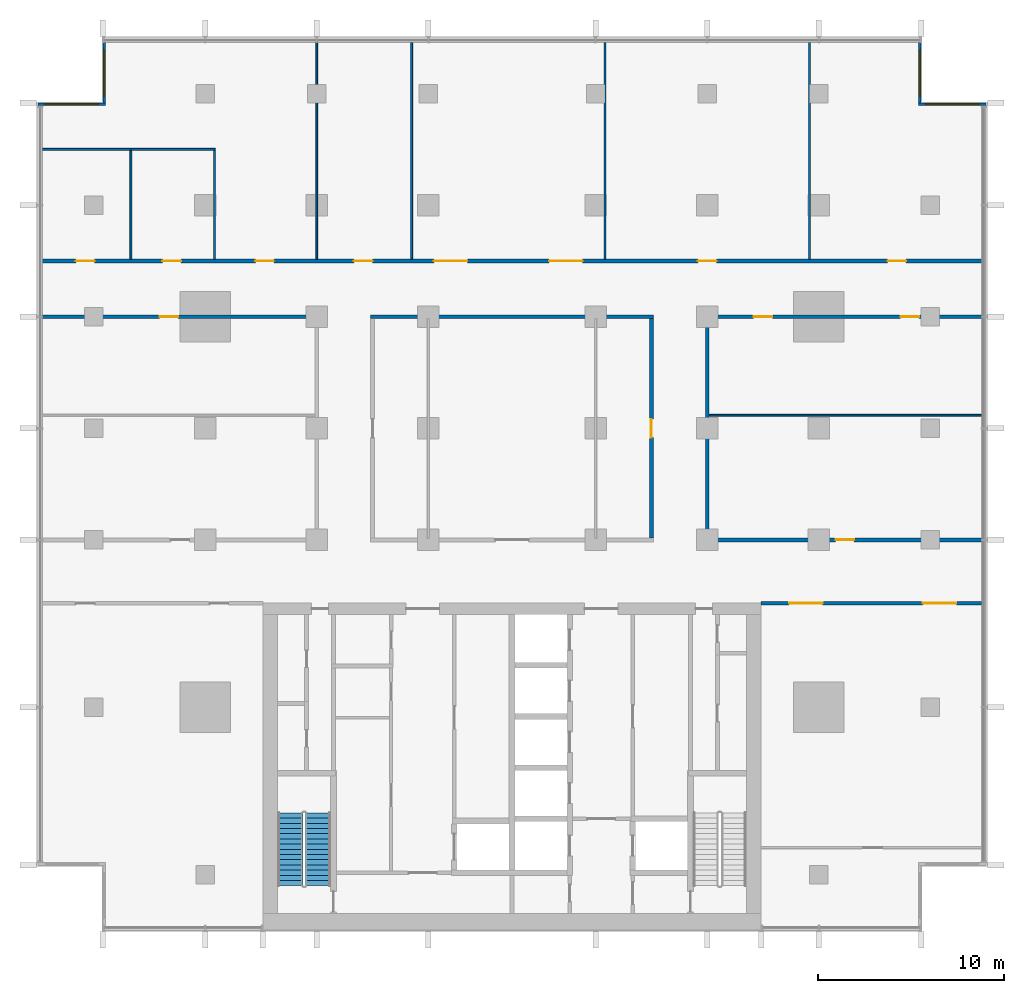
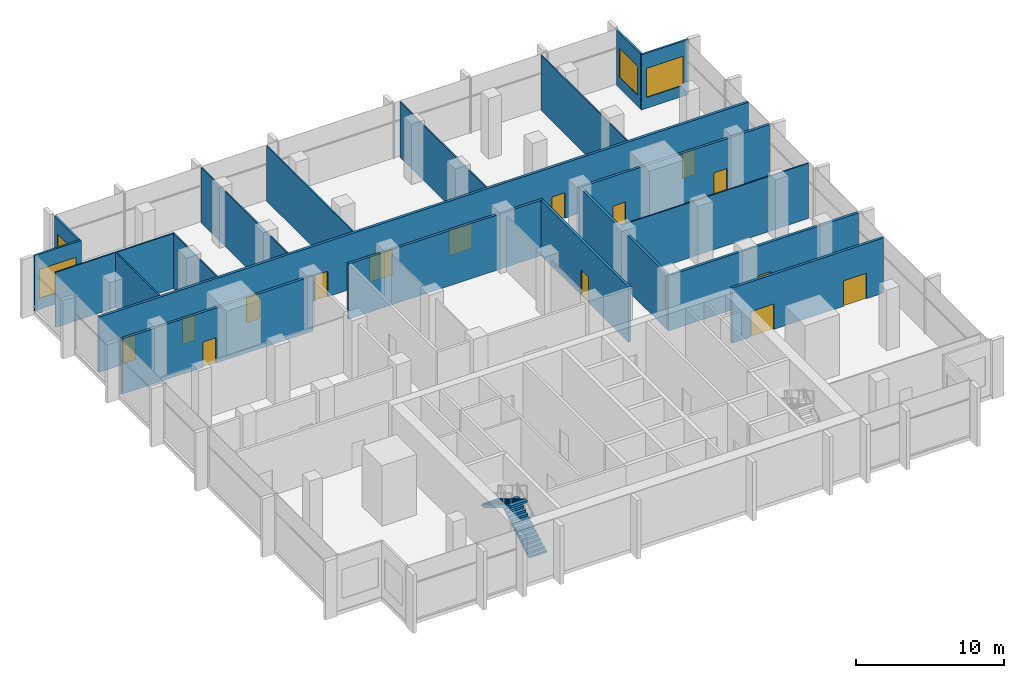
# One storey, part 9 of 15: 20 walls, 15 doors, 4 windows, 2 stair flights, 19 openings, 1 element without a shape of its own.
"""IFC4 building model written with IfcOpenShell, lengths in metres."""

from ifc_helpers import new_model, si_unit, direction, frame, frame_2d, origin, place, context, subcontext, project, spatial, polyline, rectangle, outline, extrude, material, layer, layer_set, type_object, element, fill, aggregate, save


model = new_model("IFC4")

# Units and contexts
model_context = context("Model", 3, precision=1e-05, world=origin(), true_north=direction((0.0, 1.0)))
body_context = subcontext(model_context, "Body", "Model", "MODEL_VIEW")
ifc_project = project(units=[si_unit("LENGTHUNIT", "METRE"), si_unit("AREAUNIT", "SQUARE_METRE"), si_unit("VOLUMEUNIT", "CUBIC_METRE"), si_unit("PLANEANGLEUNIT", "RADIAN"), si_unit("MASSUNIT", "GRAM", prefix="KILO")], contexts=[model_context])

# Site, building, storey
site_placement = place(None, origin())
site = spatial("IfcSite", under=ifc_project, at=site_placement, CompositionType="ELEMENT")
building_placement = place(site_placement, origin())
building = spatial("IfcBuilding", under=site, at=building_placement, Name="Finial Court Residences", CompositionType="ELEMENT")
storey_placement = place(building_placement, frame((0.0, 0.0, 138.89990234375)))
storey = spatial("IfcBuildingStorey", under=building, at=storey_placement, Name="L34", CompositionType="ELEMENT", Elevation=138.89990234375)

# Wall, openings, doors
ifc_material_1 = material(Name="Gypsum board")
ifc_layer_1 = layer(ifc_material_1, 0.02490234375)
ifc_material_2 = material(Name="Acoustic mineral wool in double frame")
ifc_layer_2 = layer(ifc_material_2, 0.14990234375)
ifc_layer_3 = layer(ifc_material_1, 0.02490234375)
ifc_layer_set_1 = layer_set([ifc_layer_1, ifc_layer_2, ifc_layer_3], Name="Corridor wall 200, 1 hour")
wall_type_1 = type_object("IfcWallType", Name="Corridor wall 200, 1 hour", PredefinedType="PARTITIONING", material=ifc_layer_set_1)
wall_1_placement = place(storey_placement, frame((13.39990234375, -7.89990234375, 0.0), z_axis=(0.0, 0.0, 1.0), x_axis=(1.0, 0.0, 0.0)))
wall_1 = element("IfcWall", 1, at=wall_1_placement, inside=storey, type_object=wall_type_1, Name="Partition L34-002", PredefinedType="PARTITIONING", context=body_context, shape_type="SweptSolid", body=[
    extrude(rectangle(XDim=11.837646484375, YDim=0.199951171875, at=frame_2d((5.9189453125, 0.0))), origin(), (0.0, 0.0, 1.0), 4.550048828125),
])
opening_1_placement = place(wall_1_placement, frame((1.5, 0.0, 0.0)))
opening_1 = element("IfcOpeningElement", 2, at=opening_1_placement, cuts=wall_1, Name="Opening L34-D004", PredefinedType="OPENING", context=body_context, shape_type="SweptSolid", body=[
    extrude(rectangle(XDim=1.800048828125, YDim=2.10009765625, at=frame_2d((0.89990234375, 1.050048828125))), frame((0.0, 0.10986328125, 0.0), z_axis=(0.0, -1.0, 0.0), x_axis=(1.0, 0.0, 0.0)), (0.0, 0.0, 1.0), 0.219970703125),
])
opening_2_placement = place(wall_1_placement, frame((8.699951171875, 0.0, 0.0)))
opening_2 = element("IfcOpeningElement", 3, at=opening_2_placement, cuts=wall_1, Name="Opening L34-D005", PredefinedType="OPENING", context=body_context, shape_type="SweptSolid", body=[
    extrude(rectangle(XDim=1.800048828125, YDim=2.10009765625, at=frame_2d((0.89990234375, 1.050048828125))), frame((0.0, 0.10986328125, 0.0), z_axis=(0.0, -1.0, 0.0), x_axis=(1.0, 0.0, 0.0)), (0.0, 0.0, 1.0), 0.219970703125),
])
ifc_material_3 = material(Name="Timber door leaf in hollow metal frame", Category="wood")
door_type_1 = type_object("IfcDoorType", Name="Fire door set 1800 x 2100, 30 minutes", OperationType="DOUBLE_DOOR_SINGLE_SWING", PredefinedType="DOOR", material=ifc_material_3)
door_1_placement = place(opening_1_placement, origin())
door_1 = element("IfcDoor", 4, at=door_1_placement, inside=storey, type_object=door_type_1, Name="Door L34-D004", OperationType="DOUBLE_DOOR_SINGLE_SWING", OverallHeight=2.10009765625, OverallWidth=1.800048828125, PredefinedType="DOOR", context=body_context, shape_type="SweptSolid", body=[
    extrude(rectangle(XDim=1.800048828125, YDim=2.10009765625, at=frame_2d((0.89990234375, 1.050048828125))), frame((0.0, 0.02490234375, 0.0), z_axis=(0.0, -1.0, 0.0), x_axis=(1.0, 0.0, 0.0)), (0.0, 0.0, 1.0), 0.050048828125),
])
fill(opening_1, door_1)
door_2_placement = place(opening_2_placement, origin())
door_2 = element("IfcDoor", 5, at=door_2_placement, inside=storey, type_object=door_type_1, Name="Door L34-D005", OperationType="DOUBLE_DOOR_SINGLE_SWING", OverallHeight=2.10009765625, OverallWidth=1.800048828125, PredefinedType="DOOR", context=body_context, shape_type="SweptSolid", body=[
    extrude(rectangle(XDim=1.800048828125, YDim=2.10009765625, at=frame_2d((0.89990234375, 1.050048828125))), frame((0.0, 0.02490234375, 0.0), z_axis=(0.0, -1.0, 0.0), x_axis=(1.0, 0.0, 0.0)), (0.0, 0.0, 1.0), 0.050048828125),
])
fill(opening_2, door_2)

# Wall, opening, door
wall_2_placement = place(storey_placement, frame((10.39990234375, -4.5, 0.0), z_axis=(0.0, 0.0, 1.0), x_axis=(1.0, 0.0, 0.0)))
wall_2 = element("IfcWall", 6, at=wall_2_placement, inside=storey, type_object=wall_type_1, Name="Partition L34-005", PredefinedType="PARTITIONING", context=body_context, shape_type="SweptSolid", body=[
    extrude(rectangle(XDim=14.837646484375, YDim=0.199951171875, at=frame_2d((7.4189453125, 0.0))), origin(), (0.0, 0.0, 1.0), 4.550048828125),
])
opening_3_placement = place(wall_2_placement, frame((7.0, 0.0, 0.0)))
opening_3 = element("IfcOpeningElement", 7, at=opening_3_placement, cuts=wall_2, Name="Opening L34-D008", PredefinedType="OPENING", context=body_context, shape_type="SweptSolid", body=[
    extrude(rectangle(XDim=1.0, YDim=2.10009765625, at=frame_2d((0.5, 1.050048828125))), frame((0.0, 0.10986328125, 0.0), z_axis=(0.0, -1.0, 0.0), x_axis=(1.0, 0.0, 0.0)), (0.0, 0.0, 1.0), 0.219970703125),
])
door_type_2 = type_object("IfcDoorType", Name="Fire door set 1000 x 2100, 30 minutes", OperationType="SINGLE_SWING_LEFT", PredefinedType="DOOR", material=ifc_material_3)
door_3_placement = place(opening_3_placement, origin())
door_3 = element("IfcDoor", 8, at=door_3_placement, inside=storey, type_object=door_type_2, Name="Door L34-D008", OperationType="SINGLE_SWING_RIGHT", OverallHeight=2.10009765625, OverallWidth=1.0, PredefinedType="DOOR", context=body_context, shape_type="SweptSolid", body=[
    extrude(rectangle(XDim=1.0, YDim=2.10009765625, at=frame_2d((0.5, 1.050048828125))), frame((0.0, 0.02490234375, 0.0), z_axis=(0.0, -1.0, 0.0), x_axis=(1.0, 0.0, 0.0)), (0.0, 0.0, 1.0), 0.050048828125),
])
fill(opening_3, door_3)

wall_3_placement = place(storey_placement, frame((-25.237548828125, 7.5, 0.0), z_axis=(0.0, 0.0, 1.0), x_axis=(1.0, 0.0, 0.0)))
wall_3 = element("IfcWall", 9, at=wall_3_placement, inside=storey, type_object=wall_type_1, Name="Partition L34-008", PredefinedType="PARTITIONING", context=body_context, shape_type="SweptSolid", body=[
    extrude(rectangle(XDim=14.837646484375, YDim=0.199951171875, at=frame_2d((7.4189453125, 0.0))), origin(), (0.0, 0.0, 1.0), 4.550048828125),
])
opening_4_placement = place(wall_3_placement, frame((6.2880859375, 0.0, 0.0)))
opening_4 = element("IfcOpeningElement", 10, at=opening_4_placement, cuts=wall_3, Name="Opening L34-D009", PredefinedType="OPENING", context=body_context, shape_type="SweptSolid", body=[
    extrude(rectangle(XDim=1.0, YDim=2.10009765625, at=frame_2d((0.5, 1.050048828125))), frame((0.0, 0.10986328125, 0.0), z_axis=(0.0, -1.0, 0.0), x_axis=(1.0, 0.0, 0.0)), (0.0, 0.0, 1.0), 0.219970703125),
])
door_4_placement = place(opening_4_placement, origin())
door_4 = element("IfcDoor", 11, at=door_4_placement, inside=storey, type_object=door_type_2, Name="Door L34-D009", OperationType="SINGLE_SWING_LEFT", OverallHeight=2.10009765625, OverallWidth=1.0, PredefinedType="DOOR", context=body_context, shape_type="SweptSolid", body=[
    extrude(rectangle(XDim=1.0, YDim=2.10009765625, at=frame_2d((0.5, 1.050048828125))), frame((0.0, 0.02490234375, 0.0), z_axis=(0.0, -1.0, 0.0), x_axis=(1.0, 0.0, 0.0)), (0.0, 0.0, 1.0), 0.050048828125),
])
fill(opening_4, door_4)

# Wall
wall_4_placement = place(storey_placement, frame((-7.60009765625, 7.5, 0.0), z_axis=(0.0, 0.0, 1.0), x_axis=(1.0, 0.0, 0.0)))
element("IfcWall", 12, at=wall_4_placement, inside=storey, type_object=wall_type_1, Name="Partition L34-009", PredefinedType="PARTITIONING", context=body_context, shape_type="SweptSolid", body=[
    extrude(rectangle(XDim=15.2001953125, YDim=0.199951171875, at=frame_2d((7.60009765625, 0.0))), origin(), (0.0, 0.0, 1.0), 4.550048828125),
])

# Wall, openings, doors
wall_5_placement = place(storey_placement, frame((10.39990234375, 7.5, 0.0), z_axis=(0.0, 0.0, 1.0), x_axis=(1.0, 0.0, 0.0)))
wall_5 = element("IfcWall", 13, at=wall_5_placement, inside=storey, type_object=wall_type_1, Name="Partition L34-010", PredefinedType="PARTITIONING", context=body_context, shape_type="SweptSolid", body=[
    extrude(rectangle(XDim=14.837646484375, YDim=0.199951171875, at=frame_2d((7.4189453125, 0.0))), origin(), (0.0, 0.0, 1.0), 4.550048828125),
])
opening_5_placement = place(wall_5_placement, frame((2.60009765625, 0.0, 0.0)))
opening_5 = element("IfcOpeningElement", 14, at=opening_5_placement, cuts=wall_5, Name="Opening L34-D010", PredefinedType="OPENING", context=body_context, shape_type="SweptSolid", body=[
    extrude(rectangle(XDim=1.0, YDim=2.10009765625, at=frame_2d((0.5, 1.050048828125))), frame((0.0, 0.10986328125, 0.0), z_axis=(0.0, -1.0, 0.0), x_axis=(1.0, 0.0, 0.0)), (0.0, 0.0, 1.0), 0.219970703125),
])
opening_6_placement = place(wall_5_placement, frame((10.5, 0.0, 0.0)))
opening_6 = element("IfcOpeningElement", 15, at=opening_6_placement, cuts=wall_5, Name="Opening L34-D011", PredefinedType="OPENING", context=body_context, shape_type="SweptSolid", body=[
    extrude(rectangle(XDim=1.0, YDim=2.10009765625, at=frame_2d((0.5, 1.050048828125))), frame((0.0, 0.10986328125, 0.0), z_axis=(0.0, -1.0, 0.0), x_axis=(1.0, 0.0, 0.0)), (0.0, 0.0, 1.0), 0.219970703125),
])
door_5_placement = place(opening_5_placement, origin())
door_5 = element("IfcDoor", 16, at=door_5_placement, inside=storey, type_object=door_type_2, Name="Door L34-D010", OperationType="SINGLE_SWING_LEFT", OverallHeight=2.10009765625, OverallWidth=1.0, PredefinedType="DOOR", context=body_context, shape_type="SweptSolid", body=[
    extrude(rectangle(XDim=1.0, YDim=2.10009765625, at=frame_2d((0.5, 1.050048828125))), frame((0.0, 0.02490234375, 0.0), z_axis=(0.0, -1.0, 0.0), x_axis=(1.0, 0.0, 0.0)), (0.0, 0.0, 1.0), 0.050048828125),
])
fill(opening_5, door_5)
door_6_placement = place(opening_6_placement, origin())
door_6 = element("IfcDoor", 17, at=door_6_placement, inside=storey, type_object=door_type_2, Name="Door L34-D011", OperationType="SINGLE_SWING_RIGHT", OverallHeight=2.10009765625, OverallWidth=1.0, PredefinedType="DOOR", context=body_context, shape_type="SweptSolid", body=[
    extrude(rectangle(XDim=1.0, YDim=2.10009765625, at=frame_2d((0.5, 1.050048828125))), frame((0.0, 0.02490234375, 0.0), z_axis=(0.0, -1.0, 0.0), x_axis=(1.0, 0.0, 0.0)), (0.0, 0.0, 1.0), 0.050048828125),
])
fill(opening_6, door_6)

wall_6_placement = place(storey_placement, frame((-25.35009765625, 10.5, 0.0), z_axis=(0.0, 0.0, 1.0), x_axis=(1.0, 0.0, 0.0)))
wall_6 = element("IfcWall", 18, at=wall_6_placement, inside=storey, type_object=wall_type_1, Name="Partition L34-011", PredefinedType="PARTITIONING", context=body_context, shape_type="SweptSolid", body=[
    extrude(rectangle(XDim=50.7001953125, YDim=0.199951171875, at=frame_2d((25.35009765625, 0.0))), origin(), (0.0, 0.0, 1.0), 4.550048828125),
])
opening_7_placement = place(wall_6_placement, frame((1.89990234375, 0.0, 0.0)))
opening_7 = element("IfcOpeningElement", 19, at=opening_7_placement, cuts=wall_6, Name="Opening L34-D012", PredefinedType="OPENING", context=body_context, shape_type="SweptSolid", body=[
    extrude(rectangle(XDim=1.0, YDim=2.10009765625, at=frame_2d((0.5, 1.050048828125))), frame((0.0, 0.10986328125, 0.0), z_axis=(0.0, -1.0, 0.0), x_axis=(1.0, 0.0, 0.0)), (0.0, 0.0, 1.0), 0.219970703125),
])
opening_8_placement = place(wall_6_placement, frame((6.550048828125, 0.0, 0.0)))
opening_8 = element("IfcOpeningElement", 20, at=opening_8_placement, cuts=wall_6, Name="Opening L34-D013", PredefinedType="OPENING", context=body_context, shape_type="SweptSolid", body=[
    extrude(rectangle(XDim=1.0, YDim=2.10009765625, at=frame_2d((0.5, 1.050048828125))), frame((0.0, 0.10986328125, 0.0), z_axis=(0.0, -1.0, 0.0), x_axis=(1.0, 0.0, 0.0)), (0.0, 0.0, 1.0), 0.219970703125),
])
opening_9_placement = place(wall_6_placement, frame((11.550048828125, 0.0, 0.0)))
opening_9 = element("IfcOpeningElement", 21, at=opening_9_placement, cuts=wall_6, Name="Opening L34-D014", PredefinedType="OPENING", context=body_context, shape_type="SweptSolid", body=[
    extrude(rectangle(XDim=1.0, YDim=2.10009765625, at=frame_2d((0.5, 1.050048828125))), frame((0.0, 0.10986328125, 0.0), z_axis=(0.0, -1.0, 0.0), x_axis=(1.0, 0.0, 0.0)), (0.0, 0.0, 1.0), 0.219970703125),
])
opening_10_placement = place(wall_6_placement, frame((16.85009765625, 0.0, 0.0)))
opening_10 = element("IfcOpeningElement", 22, at=opening_10_placement, cuts=wall_6, Name="Opening L34-D015", PredefinedType="OPENING", context=body_context, shape_type="SweptSolid", body=[
    extrude(rectangle(XDim=1.0, YDim=2.10009765625, at=frame_2d((0.5, 1.050048828125))), frame((0.0, 0.10986328125, 0.0), z_axis=(0.0, -1.0, 0.0), x_axis=(1.0, 0.0, 0.0)), (0.0, 0.0, 1.0), 0.219970703125),
])
opening_11_placement = place(wall_6_placement, frame((21.14990234375, 0.0, 0.0)))
opening_11 = element("IfcOpeningElement", 23, at=opening_11_placement, cuts=wall_6, Name="Opening L34-D016", PredefinedType="OPENING", context=body_context, shape_type="SweptSolid", body=[
    extrude(rectangle(XDim=1.800048828125, YDim=2.10009765625, at=frame_2d((0.89990234375, 1.050048828125))), frame((0.0, 0.10986328125, 0.0), z_axis=(0.0, -1.0, 0.0), x_axis=(1.0, 0.0, 0.0)), (0.0, 0.0, 1.0), 0.219970703125),
])
opening_12_placement = place(wall_6_placement, frame((27.35009765625, 0.0, 0.0)))
opening_12 = element("IfcOpeningElement", 24, at=opening_12_placement, cuts=wall_6, Name="Opening L34-D017", PredefinedType="OPENING", context=body_context, shape_type="SweptSolid", body=[
    extrude(rectangle(XDim=1.800048828125, YDim=2.10009765625, at=frame_2d((0.89990234375, 1.050048828125))), frame((0.0, 0.10986328125, 0.0), z_axis=(0.0, -1.0, 0.0), x_axis=(1.0, 0.0, 0.0)), (0.0, 0.0, 1.0), 0.219970703125),
])
opening_13_placement = place(wall_6_placement, frame((35.35009765625, 0.0, 0.0)))
opening_13 = element("IfcOpeningElement", 25, at=opening_13_placement, cuts=wall_6, Name="Opening L34-D018", PredefinedType="OPENING", context=body_context, shape_type="SweptSolid", body=[
    extrude(rectangle(XDim=1.0, YDim=2.10009765625, at=frame_2d((0.5, 1.050048828125))), frame((0.0, 0.10986328125, 0.0), z_axis=(0.0, -1.0, 0.0), x_axis=(1.0, 0.0, 0.0)), (0.0, 0.0, 1.0), 0.219970703125),
])
opening_14_placement = place(wall_6_placement, frame((45.550048828125, 0.0, 0.0)))
opening_14 = element("IfcOpeningElement", 26, at=opening_14_placement, cuts=wall_6, Name="Opening L34-D019", PredefinedType="OPENING", context=body_context, shape_type="SweptSolid", body=[
    extrude(rectangle(XDim=1.0, YDim=2.10009765625, at=frame_2d((0.5, 1.050048828125))), frame((0.0, 0.10986328125, 0.0), z_axis=(0.0, -1.0, 0.0), x_axis=(1.0, 0.0, 0.0)), (0.0, 0.0, 1.0), 0.219970703125),
])
door_7_placement = place(opening_7_placement, origin())
door_7 = element("IfcDoor", 27, at=door_7_placement, inside=storey, type_object=door_type_2, Name="Door L34-D012", OperationType="SINGLE_SWING_RIGHT", OverallHeight=2.10009765625, OverallWidth=1.0, PredefinedType="DOOR", context=body_context, shape_type="SweptSolid", body=[
    extrude(rectangle(XDim=1.0, YDim=2.10009765625, at=frame_2d((0.5, 1.050048828125))), frame((0.0, 0.02490234375, 0.0), z_axis=(0.0, -1.0, 0.0), x_axis=(1.0, 0.0, 0.0)), (0.0, 0.0, 1.0), 0.050048828125),
])
fill(opening_7, door_7)
door_8_placement = place(opening_8_placement, origin())
door_8 = element("IfcDoor", 28, at=door_8_placement, inside=storey, type_object=door_type_2, Name="Door L34-D013", OperationType="SINGLE_SWING_RIGHT", OverallHeight=2.10009765625, OverallWidth=1.0, PredefinedType="DOOR", context=body_context, shape_type="SweptSolid", body=[
    extrude(rectangle(XDim=1.0, YDim=2.10009765625, at=frame_2d((0.5, 1.050048828125))), frame((0.0, 0.02490234375, 0.0), z_axis=(0.0, -1.0, 0.0), x_axis=(1.0, 0.0, 0.0)), (0.0, 0.0, 1.0), 0.050048828125),
])
fill(opening_8, door_8)
door_9_placement = place(opening_9_placement, origin())
door_9 = element("IfcDoor", 29, at=door_9_placement, inside=storey, type_object=door_type_2, Name="Door L34-D014", OperationType="SINGLE_SWING_RIGHT", OverallHeight=2.10009765625, OverallWidth=1.0, PredefinedType="DOOR", context=body_context, shape_type="SweptSolid", body=[
    extrude(rectangle(XDim=1.0, YDim=2.10009765625, at=frame_2d((0.5, 1.050048828125))), frame((0.0, 0.02490234375, 0.0), z_axis=(0.0, -1.0, 0.0), x_axis=(1.0, 0.0, 0.0)), (0.0, 0.0, 1.0), 0.050048828125),
])
fill(opening_9, door_9)
door_10_placement = place(opening_10_placement, origin())
door_10 = element("IfcDoor", 30, at=door_10_placement, inside=storey, type_object=door_type_2, Name="Door L34-D015", OperationType="SINGLE_SWING_RIGHT", OverallHeight=2.10009765625, OverallWidth=1.0, PredefinedType="DOOR", context=body_context, shape_type="SweptSolid", body=[
    extrude(rectangle(XDim=1.0, YDim=2.10009765625, at=frame_2d((0.5, 1.050048828125))), frame((0.0, 0.02490234375, 0.0), z_axis=(0.0, -1.0, 0.0), x_axis=(1.0, 0.0, 0.0)), (0.0, 0.0, 1.0), 0.050048828125),
])
fill(opening_10, door_10)
door_11_placement = place(opening_13_placement, origin())
door_11 = element("IfcDoor", 31, at=door_11_placement, inside=storey, type_object=door_type_2, Name="Door L34-D018", OperationType="SINGLE_SWING_LEFT", OverallHeight=2.10009765625, OverallWidth=1.0, PredefinedType="DOOR", context=body_context, shape_type="SweptSolid", body=[
    extrude(rectangle(XDim=1.0, YDim=2.10009765625, at=frame_2d((0.5, 1.050048828125))), frame((0.0, 0.02490234375, 0.0), z_axis=(0.0, -1.0, 0.0), x_axis=(1.0, 0.0, 0.0)), (0.0, 0.0, 1.0), 0.050048828125),
])
fill(opening_13, door_11)
door_12_placement = place(opening_14_placement, origin())
door_12 = element("IfcDoor", 32, at=door_12_placement, inside=storey, type_object=door_type_2, Name="Door L34-D019", OperationType="SINGLE_SWING_LEFT", OverallHeight=2.10009765625, OverallWidth=1.0, PredefinedType="DOOR", context=body_context, shape_type="SweptSolid", body=[
    extrude(rectangle(XDim=1.0, YDim=2.10009765625, at=frame_2d((0.5, 1.050048828125))), frame((0.0, 0.02490234375, 0.0), z_axis=(0.0, -1.0, 0.0), x_axis=(1.0, 0.0, 0.0)), (0.0, 0.0, 1.0), 0.050048828125),
])
fill(opening_14, door_12)
door_13_placement = place(opening_11_placement, origin())
door_13 = element("IfcDoor", 33, at=door_13_placement, inside=storey, type_object=door_type_1, Name="Door L34-D016", OperationType="DOUBLE_DOOR_SINGLE_SWING", OverallHeight=2.10009765625, OverallWidth=1.800048828125, PredefinedType="DOOR", context=body_context, shape_type="SweptSolid", body=[
    extrude(rectangle(XDim=1.800048828125, YDim=2.10009765625, at=frame_2d((0.89990234375, 1.050048828125))), frame((0.0, 0.02490234375, 0.0), z_axis=(0.0, -1.0, 0.0), x_axis=(1.0, 0.0, 0.0)), (0.0, 0.0, 1.0), 0.050048828125),
])
fill(opening_11, door_13)
door_14_placement = place(opening_12_placement, origin())
door_14 = element("IfcDoor", 34, at=door_14_placement, inside=storey, type_object=door_type_1, Name="Door L34-D017", OperationType="DOUBLE_DOOR_SINGLE_SWING", OverallHeight=2.10009765625, OverallWidth=1.800048828125, PredefinedType="DOOR", context=body_context, shape_type="SweptSolid", body=[
    extrude(rectangle(XDim=1.800048828125, YDim=2.10009765625, at=frame_2d((0.89990234375, 1.050048828125))), frame((0.0, 0.02490234375, 0.0), z_axis=(0.0, -1.0, 0.0), x_axis=(1.0, 0.0, 0.0)), (0.0, 0.0, 1.0), 0.050048828125),
])
fill(opening_12, door_14)

# Wall, opening, door
wall_7_placement = place(storey_placement, frame((7.5, -4.39990234375, 0.0), z_axis=(0.0, 0.0, 1.0), x_axis=(0.0, 1.0, 0.0)))
wall_7 = element("IfcWall", 35, at=wall_7_placement, inside=storey, type_object=wall_type_1, Name="Partition L34-022", PredefinedType="PARTITIONING", context=body_context, shape_type="SweptSolid", body=[
    extrude(rectangle(XDim=11.7998046875, YDim=0.199951171875, at=frame_2d((5.89990234375, 0.0))), origin(), (0.0, 0.0, 1.0), 4.550048828125),
])
opening_15_placement = place(wall_7_placement, frame((5.39990234375, 0.0, 0.0)))
opening_15 = element("IfcOpeningElement", 36, at=opening_15_placement, cuts=wall_7, Name="Opening L34-D021", PredefinedType="OPENING", context=body_context, shape_type="SweptSolid", body=[
    extrude(rectangle(XDim=1.0, YDim=2.10009765625, at=frame_2d((0.5, 1.050048828125))), frame((0.0, 0.10986328125, 0.0), z_axis=(0.0, -1.0, 0.0), x_axis=(1.0, 0.0, 0.0)), (0.0, 0.0, 1.0), 0.219970703125),
])
door_15_placement = place(opening_15_placement, origin())
door_15 = element("IfcDoor", 37, at=door_15_placement, inside=storey, type_object=door_type_2, Name="Door L34-D021", OperationType="SINGLE_SWING_RIGHT", OverallHeight=2.10009765625, OverallWidth=1.0, PredefinedType="DOOR", context=body_context, shape_type="SweptSolid", body=[
    extrude(rectangle(XDim=1.0, YDim=2.10009765625, at=frame_2d((0.5, 1.050048828125))), frame((0.0, 0.02490234375, 0.0), z_axis=(0.0, -1.0, 0.0), x_axis=(1.0, 0.0, 0.0)), (0.0, 0.0, 1.0), 0.050048828125),
])
fill(opening_15, door_15)

# Walls
wall_8_placement = place(storey_placement, frame((10.5, -4.39990234375, 0.0), z_axis=(0.0, 0.0, 1.0), x_axis=(0.0, 1.0, 0.0)))
element("IfcWall", 38, at=wall_8_placement, inside=storey, type_object=wall_type_1, Name="Partition L34-023", PredefinedType="PARTITIONING", context=body_context, shape_type="SweptSolid", body=[
    extrude(rectangle(XDim=11.7998046875, YDim=0.199951171875, at=frame_2d((5.89990234375, 0.0))), origin(), (0.0, 0.0, 1.0), 4.550048828125),
])
ifc_layer_4 = layer(ifc_material_1, 0.012451171875)
ifc_material_4 = material(Name="Mineral wool in light-gauge frame")
ifc_layer_5 = layer(ifc_material_4, 0.074951171875)
ifc_layer_6 = layer(ifc_material_1, 0.012451171875)
ifc_layer_set_2 = layer_set([ifc_layer_4, ifc_layer_5, ifc_layer_6], Name="Gypsum board partition 100")
wall_type_2 = type_object("IfcWallType", Name="Gypsum board partition 100", PredefinedType="PARTITIONING", material=ifc_layer_set_2)
wall_9_placement = place(storey_placement, frame((10.60009765625, 2.199951171875, 0.0), z_axis=(0.0, 0.0, 1.0), x_axis=(1.0, 0.0, 0.0)))
element("IfcWall", 39, at=wall_9_placement, inside=storey, type_object=wall_type_2, Name="Partition L34-007", PredefinedType="PARTITIONING", context=body_context, shape_type="SweptSolid", body=[
    extrude(rectangle(XDim=14.637451171875, YDim=0.10009765625, at=frame_2d((7.31884765625, 0.0))), origin(), (0.0, 0.0, 1.0), 4.550048828125),
])
wall_10_placement = place(storey_placement, frame((-25.237548828125, 16.5, 0.0), z_axis=(0.0, 0.0, 1.0), x_axis=(1.0, 0.0, 0.0)))
element("IfcWall", 40, at=wall_10_placement, inside=storey, type_object=wall_type_2, Name="Partition L34-012", PredefinedType="PARTITIONING", context=body_context, shape_type="SweptSolid", body=[
    extrude(rectangle(XDim=9.28759765625, YDim=0.10009765625, at=frame_2d((4.643798828125, 0.0))), origin(), (0.0, 0.0, 1.0), 4.550048828125),
])
for number, where, z_axis, x_axis, name in (
    (41, (-20.5, 10.60009765625, 0.0), (0.0, 0.0, 1.0), (0.0, 1.0, 0.0), "Partition L34-013"),
    (42, (-16.0, 10.60009765625, 0.0), (0.0, 0.0, 1.0), (0.0, 1.0, 0.0), "Partition L34-014"),
):
    element("IfcWall", number, at=place(storey_placement, frame(where, z_axis=z_axis, x_axis=x_axis)), inside=storey, type_object=wall_type_2, Name=name, PredefinedType="PARTITIONING", context=body_context, shape_type="SweptSolid", body=[
        extrude(rectangle(XDim=5.849853515625, YDim=0.10009765625, at=frame_2d((2.9248046875, 0.0))), origin(), (0.0, 0.0, 1.0), 4.550048828125),
    ])
for number, where, z_axis, x_axis, name in (
    (43, (-10.5, 10.60009765625, 0.0), (0.0, 0.0, 1.0), (0.0, 1.0, 0.0), "Partition L34-016"),
    (44, (-5.39990234375, 10.60009765625, 0.0), (0.0, 0.0, 1.0), (0.0, 1.0, 0.0), "Partition L34-018"),
    (45, (5.0, 10.60009765625, 0.0), (0.0, 0.0, 1.0), (0.0, 1.0, 0.0), "Partition L34-021"),
    (46, (16.0, 10.60009765625, 0.0), (0.0, 0.0, 1.0), (0.0, 1.0, 0.0), "Partition L34-024"),
):
    element("IfcWall", number, at=place(storey_placement, frame(where, z_axis=z_axis, x_axis=x_axis)), inside=storey, type_object=wall_type_2, Name=name, PredefinedType="PARTITIONING", context=body_context, shape_type="SweptSolid", body=[
        extrude(rectangle(XDim=11.637451171875, YDim=0.10009765625, at=frame_2d((5.81884765625, 0.0))), origin(), (0.0, 0.0, 1.0), 4.550048828125),
    ])

# Wall, opening, window
ifc_material_5 = material(Name="Natural limestone", Category="masonry")
ifc_layer_7 = layer(ifc_material_5, 0.14990234375)
ifc_layer_set_3 = layer_set([ifc_layer_7], Name="Limestone clad wall 150")
wall_type_3 = type_object("IfcWallType", Name="Limestone clad wall 150", PredefinedType="SOLIDWALL", material=ifc_layer_set_3)
wall_11_placement = place(storey_placement, frame((-21.925048828125, 19.0, 0.0), z_axis=(0.0, 0.0, 1.0), x_axis=(0.0, 1.0, 0.0)))
wall_11 = element("IfcWall", 47, at=wall_11_placement, inside=storey, type_object=wall_type_3, Name="E-L34-NWW10", PredefinedType="SOLIDWALL", context=body_context, shape_type="SweptSolid", body=[
    extrude(rectangle(XDim=3.237548828125, YDim=0.14990234375, at=frame_2d((1.61865234375, 0.0))), origin(), (0.0, 0.0, 1.0), 4.550048828125),
])
opening_16_placement = place(wall_11_placement, frame((0.398681640625, 0.0, 0.89990234375)))
opening_16 = element("IfcOpeningElement", 48, at=opening_16_placement, cuts=wall_11, Name="Opening WE34-05", PredefinedType="OPENING", context=body_context, shape_type="SweptSolid", body=[
    extrude(rectangle(XDim=2.43994140625, YDim=2.39990234375, at=frame_2d((1.219970703125, 1.199951171875))), frame((0.0, 0.0849609375, 0.0), z_axis=(0.0, -1.0, 0.0), x_axis=(1.0, 0.0, 0.0)), (0.0, 0.0, 1.0), 0.169921875),
])
ifc_material_6 = material(Name="Clear low-e glass", Category="glass")
window_type_1 = type_object("IfcWindowType", Name="Corner window 2440 x 2400", PartitioningType="SINGLE_PANEL", PredefinedType="WINDOW", material=ifc_material_6)
window_1_placement = place(opening_16_placement, origin())
window_1 = element("IfcWindow", 49, at=window_1_placement, inside=storey, type_object=window_type_1, Name="E-L34-NWW10-W1", OverallHeight=2.39990234375, OverallWidth=2.43994140625, PartitioningType="SINGLE_PANEL", PredefinedType="WINDOW", context=body_context, shape_type="SweptSolid", body=[
    extrude(rectangle(XDim=2.43994140625, YDim=2.39990234375, at=frame_2d((1.219970703125, 1.199951171875))), frame((0.0, 0.030029296875, 0.0), z_axis=(0.0, -1.0, 0.0), x_axis=(1.0, 0.0, 0.0)), (0.0, 0.0, 1.0), 0.06005859375),
])
fill(opening_16, window_1)

wall_12_placement = place(storey_placement, frame((-25.5, 18.925048828125, 0.0), z_axis=(0.0, 0.0, 1.0), x_axis=(1.0, 0.0, 0.0)))
wall_12 = element("IfcWall", 50, at=wall_12_placement, inside=storey, type_object=wall_type_3, Name="E-L34-NWN11", PredefinedType="SOLIDWALL", context=body_context, shape_type="SweptSolid", body=[
    extrude(rectangle(XDim=3.64990234375, YDim=0.14990234375, at=frame_2d((1.824951171875, 0.0))), origin(), (0.0, 0.0, 1.0), 4.550048828125),
])
opening_17_placement = place(wall_12_placement, frame((0.39990234375, 0.0, 0.89990234375)))
opening_17 = element("IfcOpeningElement", 51, at=opening_17_placement, cuts=wall_12, Name="Opening WE34-06", PredefinedType="OPENING", context=body_context, shape_type="SweptSolid", body=[
    extrude(rectangle(XDim=2.85009765625, YDim=2.39990234375, at=frame_2d((1.425048828125, 1.199951171875))), frame((0.0, 0.0849609375, 0.0), z_axis=(0.0, -1.0, 0.0), x_axis=(1.0, 0.0, 0.0)), (0.0, 0.0, 1.0), 0.169921875),
])
window_type_2 = type_object("IfcWindowType", Name="Corner window 2850 x 2400", PartitioningType="SINGLE_PANEL", PredefinedType="WINDOW", material=ifc_material_6)
window_2_placement = place(opening_17_placement, origin())
window_2 = element("IfcWindow", 52, at=window_2_placement, inside=storey, type_object=window_type_2, Name="E-L34-NWN11-W1", OverallHeight=2.39990234375, OverallWidth=2.85009765625, PartitioningType="SINGLE_PANEL", PredefinedType="WINDOW", context=body_context, shape_type="SweptSolid", body=[
    extrude(rectangle(XDim=2.85009765625, YDim=2.39990234375, at=frame_2d((1.425048828125, 1.199951171875))), frame((0.0, 0.030029296875, 0.0), z_axis=(0.0, -1.0, 0.0), x_axis=(1.0, 0.0, 0.0)), (0.0, 0.0, 1.0), 0.06005859375),
])
fill(opening_17, window_2)

wall_13_placement = place(storey_placement, frame((21.925048828125, 22.237548828125, 0.0), z_axis=(0.0, 0.0, 1.0), x_axis=(0.0, -1.0, 0.0)))
wall_13 = element("IfcWall", 53, at=wall_13_placement, inside=storey, type_object=wall_type_3, Name="E-L34-NWE12", PredefinedType="SOLIDWALL", context=body_context, shape_type="SweptSolid", body=[
    extrude(rectangle(XDim=3.237548828125, YDim=0.14990234375, at=frame_2d((1.61865234375, 0.0))), origin(), (0.0, 0.0, 1.0), 4.550048828125),
])
opening_18_placement = place(wall_13_placement, frame((0.398681640625, 0.0, 0.89990234375)))
opening_18 = element("IfcOpeningElement", 54, at=opening_18_placement, cuts=wall_13, Name="Opening WE34-07", PredefinedType="OPENING", context=body_context, shape_type="SweptSolid", body=[
    extrude(rectangle(XDim=2.43994140625, YDim=2.39990234375, at=frame_2d((1.219970703125, 1.199951171875))), frame((0.0, 0.0849609375, 0.0), z_axis=(0.0, -1.0, 0.0), x_axis=(1.0, 0.0, 0.0)), (0.0, 0.0, 1.0), 0.169921875),
])
window_3_placement = place(opening_18_placement, origin())
window_3 = element("IfcWindow", 55, at=window_3_placement, inside=storey, type_object=window_type_1, Name="E-L34-NWE12-W1", OverallHeight=2.39990234375, OverallWidth=2.43994140625, PartitioningType="SINGLE_PANEL", PredefinedType="WINDOW", context=body_context, shape_type="SweptSolid", body=[
    extrude(rectangle(XDim=2.43994140625, YDim=2.39990234375, at=frame_2d((1.219970703125, 1.199951171875))), frame((0.0, 0.030029296875, 0.0), z_axis=(0.0, -1.0, 0.0), x_axis=(1.0, 0.0, 0.0)), (0.0, 0.0, 1.0), 0.06005859375),
])
fill(opening_18, window_3)

wall_14_placement = place(storey_placement, frame((21.85009765625, 18.925048828125, 0.0), z_axis=(0.0, 0.0, 1.0), x_axis=(1.0, 0.0, 0.0)))
wall_14 = element("IfcWall", 56, at=wall_14_placement, inside=storey, type_object=wall_type_3, Name="E-L34-NWN13", PredefinedType="SOLIDWALL", context=body_context, shape_type="SweptSolid", body=[
    extrude(rectangle(XDim=3.64990234375, YDim=0.14990234375, at=frame_2d((1.824951171875, 0.0))), origin(), (0.0, 0.0, 1.0), 4.550048828125),
])
opening_19_placement = place(wall_14_placement, frame((0.39990234375, 0.0, 0.89990234375)))
opening_19 = element("IfcOpeningElement", 57, at=opening_19_placement, cuts=wall_14, Name="Opening WE34-08", PredefinedType="OPENING", context=body_context, shape_type="SweptSolid", body=[
    extrude(rectangle(XDim=2.85009765625, YDim=2.39990234375, at=frame_2d((1.425048828125, 1.199951171875))), frame((0.0, 0.0849609375, 0.0), z_axis=(0.0, -1.0, 0.0), x_axis=(1.0, 0.0, 0.0)), (0.0, 0.0, 1.0), 0.169921875),
])
window_4_placement = place(opening_19_placement, origin())
window_4 = element("IfcWindow", 58, at=window_4_placement, inside=storey, type_object=window_type_2, Name="E-L34-NWN13-W1", OverallHeight=2.39990234375, OverallWidth=2.85009765625, PartitioningType="SINGLE_PANEL", PredefinedType="WINDOW", context=body_context, shape_type="SweptSolid", body=[
    extrude(rectangle(XDim=2.85009765625, YDim=2.39990234375, at=frame_2d((1.425048828125, 1.199951171875))), frame((0.0, 0.030029296875, 0.0), z_axis=(0.0, -1.0, 0.0), x_axis=(1.0, 0.0, 0.0)), (0.0, 0.0, 1.0), 0.06005859375),
])
fill(opening_19, window_4)

# Stair, stair flights
ifc_material_7 = material(Name="Concrete C50/60", Category="concrete")
stair_type = type_object("IfcStairType", Name="Exit stair 30 risers of 166.7 mm", PredefinedType="HALF_TURN_STAIR", material=ifc_material_7)
stair_placement = place(storey_placement, origin())
stair = element("IfcStair", 59, at=stair_placement, inside=storey, type_object=stair_type, Name="L34 Exit stair ST-1", PredefinedType="HALF_TURN_STAIR")
stair_flight_type = type_object("IfcStairFlightType", Name="Exit stair flight", PredefinedType="STRAIGHT", material=ifc_material_7)
stair_flight_1_placement = place(storey_placement, frame((-10.425048828125, -23.10009765625, 0.0), z_axis=(0.0, 0.0, 1.0), x_axis=(0.0, 1.0, 0.0)))
stair_flight_1 = element("IfcStairFlight", 60, at=stair_flight_1_placement, type_object=stair_flight_type, Name="ST-1 flight 1", NumberOfRisers=15, NumberOfTreads=14, PredefinedType="STRAIGHT", RiserHeight=0.166666667, TreadLength=0.28, context=body_context, shape_type="SweptSolid", body=[
    extrude(outline(polyline([(0.0, 0.0), (0.0, 0.166748046875), (0.280029296875, 0.166748046875), (0.280029296875, 0.333251953125), (0.56005859375, 0.333251953125), (0.56005859375, 0.5), (0.840087890625, 0.5), (0.840087890625, 0.666748046875), (1.1201171875, 0.666748046875), (1.1201171875, 0.833251953125), (1.39990234375, 0.833251953125), (1.39990234375, 1.0), (1.679931640625, 1.0), (1.679931640625, 1.166748046875), (1.9599609375, 1.166748046875), (1.9599609375, 1.333251953125), (2.239990234375, 1.333251953125), (2.239990234375, 1.5), (2.52001953125, 1.5), (2.52001953125, 1.666748046875), (2.800048828125, 1.666748046875), (2.800048828125, 1.833251953125), (3.080078125, 1.833251953125), (3.080078125, 2.0), (3.360107421875, 2.0), (3.360107421875, 2.166748046875), (3.639892578125, 2.166748046875), (3.639892578125, 2.333251953125), (3.919921875, 2.333251953125), (3.919921875, 2.5), (3.919921875, 2.158935546875), (0.29296875, 0.0), (0.0, 0.0)])), frame((0.0, 0.675048828125, 0.0), z_axis=(0.0, -1.0, 0.0), x_axis=(1.0, 0.0, 0.0)), (0.0, 0.0, 1.0), 1.35009765625),
])
stair_flight_2_placement = place(storey_placement, frame((-11.925048828125, -19.179931640625, 2.5), z_axis=(0.0, 0.0, 1.0), x_axis=(0.0, -1.0, 0.0)))
stair_flight_2 = element("IfcStairFlight", 61, at=stair_flight_2_placement, type_object=stair_flight_type, Name="ST-1 flight 2", NumberOfRisers=15, NumberOfTreads=14, PredefinedType="STRAIGHT", RiserHeight=0.166666667, TreadLength=0.28, context=body_context, shape_type="SweptSolid", body=[
    extrude(outline(polyline([(0.0, 0.0), (0.0, 0.166748046875), (0.280029296875, 0.166748046875), (0.280029296875, 0.333251953125), (0.56005859375, 0.333251953125), (0.56005859375, 0.5), (0.840087890625, 0.5), (0.840087890625, 0.666748046875), (1.1201171875, 0.666748046875), (1.1201171875, 0.833251953125), (1.39990234375, 0.833251953125), (1.39990234375, 1.0), (1.679931640625, 1.0), (1.679931640625, 1.166748046875), (1.9599609375, 1.166748046875), (1.9599609375, 1.333251953125), (2.239990234375, 1.333251953125), (2.239990234375, 1.5), (2.52001953125, 1.5), (2.52001953125, 1.666748046875), (2.800048828125, 1.666748046875), (2.800048828125, 1.833251953125), (3.080078125, 1.833251953125), (3.080078125, 2.0), (3.360107421875, 2.0), (3.360107421875, 2.166748046875), (3.639892578125, 2.166748046875), (3.639892578125, 2.333251953125), (3.919921875, 2.333251953125), (3.919921875, 2.5), (3.919921875, 2.158935546875), (0.29296875, 0.0), (0.0, 0.0)])), frame((0.0, 0.675048828125, 0.0), z_axis=(0.0, -1.0, 0.0), x_axis=(1.0, 0.0, 0.0)), (0.0, 0.0, 1.0), 1.35009765625),
])
aggregate(stair, [stair_flight_1, stair_flight_2])

save(model, "model.ifc")
